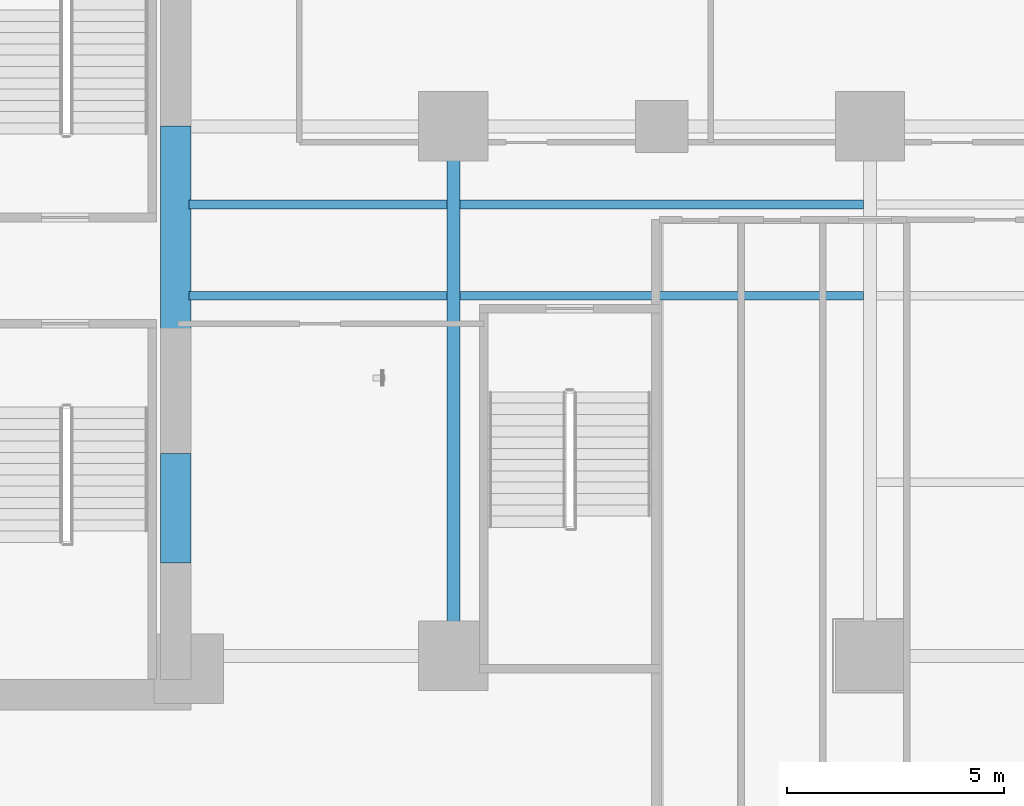
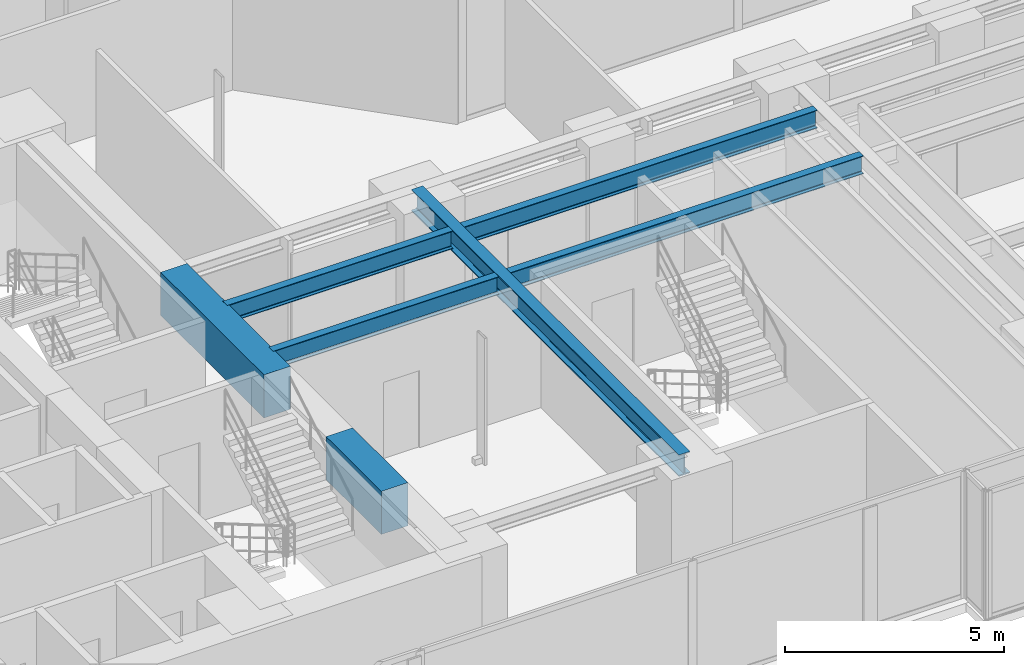
# One storey, part 5 of 29: 7 beams.
"""IFC4 building model written with IfcOpenShell, lengths in metres."""

import ifcopenshell
import ifcopenshell.guid

model = None  # the IFC model being written
_history = None  # IfcOwnerHistory: only IFC2X3 demands one
_inside = {}  # id of a spatial element -> (the spatial element, [elements in it])
_under = {}  # id of a project, library or spatial element -> (it, [spatial elements below it])
_declared = {}  # id of a project -> (the project, [libraries it declares])
_typed = {}  # id of a type object -> (the type object, [elements of that type])
_made_of = {}  # id of a material, layer set ... -> (it, [elements and type objects made of it])


def new_model(schema):
    """Start an empty IFC model of exactly this schema.

    Asked for "IFC4X3", IfcOpenShell would pick the latest addendum, in which some entities
    have other attributes; the version numbers below select the first issue.
    IFC2X3 requires an IfcOwnerHistory on every rooted entity: one is made here for all.
    """
    global model, _history
    if schema == "IFC4X3":
        model = ifcopenshell.file(schema_version=(4, 3, 0, 0))
    else:
        model = ifcopenshell.file(schema=schema)
    _inside.clear()
    _under.clear()
    _declared.clear()
    _typed.clear()
    _made_of.clear()
    _history = None
    if model.schema == "IFC2X3":
        org = make("IfcOrganization", Name="unknown")
        user = make(
            "IfcPersonAndOrganization",
            ThePerson=make("IfcPerson", FamilyName="unknown"),
            TheOrganization=org,
        )
        app = make(
            "IfcApplication",
            ApplicationDeveloper=org,
            Version="unknown",
            ApplicationFullName="unknown",
            ApplicationIdentifier="unknown",
        )
        _history = make(
            "IfcOwnerHistory",
            OwningUser=user,
            OwningApplication=app,
            ChangeAction="ADDED",
            CreationDate=0,
        )
    return model


def make(cls, **values):
    """One entity of the class cls with the attributes given. An attribute that is None is left unset."""
    return model.create_entity(
        cls, **{name: value for name, value in values.items() if value is not None}
    )


def rooted(cls, **values):
    """An entity with a GlobalId (a new one), such as an element, a storey or a relation."""
    return make(cls, GlobalId=ifcopenshell.guid.new(), OwnerHistory=_history, **values)


def si_unit(unit_type, name, prefix=None):
    """IfcSIUnit, for example si_unit("LENGTHUNIT", "METRE", prefix="MILLI")."""
    return make("IfcSIUnit", UnitType=unit_type, Prefix=prefix, Name=name)


def assignment(units):
    """IfcUnitAssignment: the units of a project."""
    return None if units is None else make("IfcUnitAssignment", Units=units)


def point(xyz):
    """IfcCartesianPoint."""
    return None if xyz is None else make("IfcCartesianPoint", Coordinates=xyz)


def direction(xyz):
    """IfcDirection."""
    return None if xyz is None else make("IfcDirection", DirectionRatios=xyz)


def frame(location, z_axis=None, x_axis=None):
    """IfcAxis2Placement3D, a coordinate frame: its origin and axes. An axis left out is left unset."""
    return make(
        "IfcAxis2Placement3D",
        Location=point(location),
        Axis=direction(z_axis),
        RefDirection=direction(x_axis),
    )


def frame_2d(location, x_axis=None):
    """IfcAxis2Placement2D, a coordinate frame in the plane: its origin and x axis."""
    return make(
        "IfcAxis2Placement2D", Location=point(location), RefDirection=direction(x_axis)
    )


def origin():
    """The frame at (0, 0, 0) with its axes left unset."""
    return frame((0.0, 0.0, 0.0))


def origin_2d():
    """The frame at (0, 0) in the plane with its x axis left unset."""
    return frame_2d((0.0, 0.0))


def place(relative_to, where):
    """IfcLocalPlacement: puts the frame where relative to a parent placement (None: the world)."""
    return make(
        "IfcLocalPlacement", PlacementRelTo=relative_to, RelativePlacement=where
    )


def context(
    kind, dimensions, precision=None, world=None, true_north=None, identifier=None
):
    """IfcGeometricRepresentationContext, for example the 3D "Model" context."""
    return make(
        "IfcGeometricRepresentationContext",
        ContextIdentifier=identifier,
        ContextType=kind,
        CoordinateSpaceDimension=dimensions,
        Precision=precision,
        WorldCoordinateSystem=world,
        TrueNorth=true_north,
    )


def subcontext(parent, identifier, kind, view, scale=None):
    """IfcGeometricRepresentationSubContext, for example "Body" below "Model"."""
    return make(
        "IfcGeometricRepresentationSubContext",
        ContextIdentifier=identifier,
        ContextType=kind,
        ParentContext=parent,
        TargetScale=scale,
        TargetView=view,
    )


def project(units=None, contexts=None):
    """IfcProject with its units and contexts."""
    return rooted(
        "IfcProject",
        Name="project",
        RepresentationContexts=contexts,
        UnitsInContext=assignment(units),
    )


def spatial(cls, under=None, at=None, **own):
    """A site, building, storey or space (cls), placed at a placement, below another one or the project."""
    s = rooted(cls, ObjectPlacement=at, **own)
    if under is not None:
        _under.setdefault(under.id(), (under, []))[1].append(s)
    return s


def profile(cls, at=None, kind="AREA", **sizes):
    """A parametric profile (cls). Its sizes go by their IFC names, for example OverallWidth=200.0."""
    return make(cls, ProfileType=kind, Position=at, **sizes)


def rectangle(**sizes):
    """IfcRectangleProfileDef."""
    return profile("IfcRectangleProfileDef", **sizes)


def i_section(**sizes):
    """IfcIShapeProfileDef."""
    return profile("IfcIShapeProfileDef", **sizes)


def extrude(swept, where, along, depth):
    """IfcExtrudedAreaSolid: the profile swept, set in the frame where, extruded along a direction by depth."""
    return make(
        "IfcExtrudedAreaSolid",
        SweptArea=swept,
        Position=where,
        ExtrudedDirection=direction(along),
        Depth=depth,
    )


def shape(context_of_items, identifier, shape_type, items):
    """IfcShapeRepresentation: the items that make up one representation, for example the "Body"."""
    return make(
        "IfcShapeRepresentation",
        ContextOfItems=context_of_items,
        RepresentationIdentifier=identifier,
        RepresentationType=shape_type,
        Items=items,
    )


def material(Name=None, Category=None):
    """IfcMaterial."""
    return make("IfcMaterial", Name=Name, Category=Category)


def material_profile(
    of_material, cross_section, Name=None, Category=None, Priority=None
):
    """IfcMaterialProfile: a cross section and its material."""
    return make(
        "IfcMaterialProfile",
        Name=Name,
        Material=of_material,
        Profile=cross_section,
        Priority=Priority,
        Category=Category,
    )


def profile_set(profiles, Name=None, composite=None):
    """IfcMaterialProfileSet."""
    return make(
        "IfcMaterialProfileSet",
        Name=Name,
        MaterialProfiles=profiles,
        CompositeProfile=composite,
    )


def made_of(thing, what):
    """Note that an element or type object is made of a material, layer set ...; save() writes the relation."""
    if what is not None:
        _made_of.setdefault(what.id(), (what, []))[1].append(thing)
    return thing


def type_object(cls, material=None, **own):
    """A type object (cls), such as IfcWallType, which elements share."""
    return made_of(rooted(cls, **own), material)


def element(
    cls,
    number,
    at=None,
    inside=None,
    cuts=None,
    type_object=None,
    material=None,
    context=None,
    identifier="Body",
    shape_type=None,
    held_by="IfcProductDefinitionShape",
    body=None,
    shapes=None,
    **own,
):
    """One element of the class cls, such as IfcWall. Its Tag is "e" and its number.

    at: its placement. inside: the storey or other place that contains it. cuts: it is an
    opening in that element (IfcRelVoidsElement). A single representation is given by context,
    identifier, shape_type and body (its items); several are given by shapes. held_by: the class
    of the entity that holds the representations. save() writes the other relations.
    """
    e = rooted(cls, Tag="e%d" % number, ObjectPlacement=at, **own)
    if body is not None:
        shapes = [shape(context, identifier, shape_type, body)]
    if shapes is not None:
        e.Representation = make(held_by, Representations=shapes)
    if inside is not None:
        _inside.setdefault(inside.id(), (inside, []))[1].append(e)
    if cuts is not None:
        rooted(
            "IfcRelVoidsElement", RelatingBuildingElement=cuts, RelatedOpeningElement=e
        )
    if type_object is not None:
        _typed.setdefault(type_object.id(), (type_object, []))[1].append(e)
    return made_of(e, material)


def aggregate(whole, parts):
    """IfcRelAggregates: a whole, such as a stair, and the parts it consists of."""
    return rooted("IfcRelAggregates", RelatingObject=whole, RelatedObjects=parts)


def save(model, path):
    """Write the relations noted so far, then the file.

    IfcRelAggregates (storeys below a building ...), IfcRelContainedInSpatialStructure (elements
    in a storey), IfcRelDefinesByType, IfcRelAssociatesMaterial and IfcRelDeclares: one each for
    every whole, place, type object, material and project.
    """
    for whole, parts in _under.values():
        aggregate(whole, parts)
    for where, things in _inside.values():
        rooted(
            "IfcRelContainedInSpatialStructure",
            RelatedElements=things,
            RelatingStructure=where,
        )
    for kind, things in _typed.values():
        rooted("IfcRelDefinesByType", RelatedObjects=things, RelatingType=kind)
    for what, things in _made_of.values():
        rooted("IfcRelAssociatesMaterial", RelatedObjects=things, RelatingMaterial=what)
    for by, libraries in _declared.values():
        rooted("IfcRelDeclares", RelatingContext=by, RelatedDefinitions=libraries)
    model.write(path)


model = new_model("IFC4")

# Units and contexts
model_context = context("Model", 3, precision=1e-05, world=origin(), true_north=direction((0.0, 1.0)))
body_context = subcontext(model_context, "Body", "Model", "MODEL_VIEW")
ifc_project = project(units=[si_unit("LENGTHUNIT", "METRE"), si_unit("AREAUNIT", "SQUARE_METRE"), si_unit("VOLUMEUNIT", "CUBIC_METRE"), si_unit("PLANEANGLEUNIT", "RADIAN"), si_unit("MASSUNIT", "GRAM", prefix="KILO")], contexts=[model_context])

# Site, building, storey
site_placement = place(None, origin())
site = spatial("IfcSite", under=ifc_project, at=site_placement, CompositionType="ELEMENT")
building_placement = place(site_placement, origin())
building = spatial("IfcBuilding", under=site, at=building_placement, Name="Kolvaren Waterfront Exchange", CompositionType="ELEMENT")
storey_placement = place(building_placement, frame((0.0, 0.0, 37.199951171875)))
storey = spatial("IfcBuildingStorey", under=building, at=storey_placement, Name="L09", CompositionType="ELEMENT", Elevation=37.199951171875)

# Beams
ifc_material_1 = material(Name="Steel S355", Category="steel")
ifc_material_profile_1 = material_profile(ifc_material_1, i_section(OverallWidth=0.300048828125, OverallDepth=0.60009765625, WebThickness=0.015380859375, FlangeThickness=0.030029296875, FilletRadius=0.027099609375, at=origin_2d()), Name="HEB600")
ifc_profile_set_1 = profile_set([ifc_material_profile_1], Name="Steel S355")
beam_type_1 = type_object("IfcBeamType", Name="STR-BM-HEB600", PredefinedType="BEAM", material=ifc_profile_set_1)
beam_1_placement = place(storey_placement, frame((27.199951171875, 5.199951171875, 3.239990234375), z_axis=(0.0, 1.0, 0.0), x_axis=(-1.0, 0.0, 0.0)))
element("IfcBeam", 1, at=beam_1_placement, inside=storey, type_object=beam_type_1, Name="L09 east-arm transverse girder X27", PredefinedType="BEAM", context=body_context, shape_type="SweptSolid", body=[
    extrude(i_section(OverallWidth=0.300048828125, OverallDepth=0.60009765625, WebThickness=0.015380859375, FlangeThickness=0.030029296875, FilletRadius=0.027099609375, at=origin_2d()), origin(), (0.0, 0.0, 1.0), 12.199951171875),
])
ifc_material_profile_2 = material_profile(ifc_material_1, i_section(OverallWidth=0.199951171875, OverallDepth=0.5, WebThickness=0.01025390625, FlangeThickness=0.01611328125, FilletRadius=0.02099609375, at=origin_2d()), Name="IPE500")
ifc_profile_set_2 = profile_set([ifc_material_profile_2], Name="Steel S355")
beam_type_2 = type_object("IfcBeamType", Name="STR-BM-IPE500", PredefinedType="JOIST", material=ifc_profile_set_2)
for number, where, z_axis, x_axis, name in (
    (2, (21.10009765625, 13.5, 3.2900390625), (1.0, 0.0, 0.0), (0.0, 1.0, 0.0), "L09 east-arm composite joist 1A"),
    (3, (21.10009765625, 15.60009765625, 3.2900390625), (1.0, 0.0, 0.0), (0.0, 1.0, 0.0), "L09 east-arm composite joist 1C"),
):
    element("IfcBeam", number, at=place(storey_placement, frame(where, z_axis=z_axis, x_axis=x_axis)), inside=storey, type_object=beam_type_2, Name=name, PredefinedType="JOIST", context=body_context, shape_type="SweptSolid", body=[
        extrude(i_section(OverallWidth=0.199951171875, OverallDepth=0.5, WebThickness=0.01025390625, FlangeThickness=0.01611328125, FilletRadius=0.02099609375, at=origin_2d()), origin(), (0.0, 0.0, 1.0), 5.947998046875),
    ])
for number, where, z_axis, x_axis, name in (
    (4, (27.35205078125, 13.5, 3.2900390625), (1.0, 0.0, 0.0), (0.0, 1.0, 0.0), "L09 east-arm composite joist 2A"),
    (5, (27.35205078125, 15.60009765625, 3.2900390625), (1.0, 0.0, 0.0), (0.0, 1.0, 0.0), "L09 east-arm composite joist 2C"),
):
    element("IfcBeam", number, at=place(storey_placement, frame(where, z_axis=z_axis, x_axis=x_axis)), inside=storey, type_object=beam_type_2, Name=name, PredefinedType="JOIST", context=body_context, shape_type="SweptSolid", body=[
        extrude(i_section(OverallWidth=0.199951171875, OverallDepth=0.5, WebThickness=0.01025390625, FlangeThickness=0.01611328125, FilletRadius=0.02099609375, at=origin_2d()), origin(), (0.0, 0.0, 1.0), 9.2958984375),
    ])
ifc_material_2 = material(Name="Concrete C70/85", Category="concrete")
ifc_material_profile_3 = material_profile(ifc_material_2, rectangle(XDim=0.699951171875, YDim=1.199951171875, at=origin_2d()), Name="RC-CB-1200x700")
ifc_profile_set_3 = profile_set([ifc_material_profile_3], Name="Concrete C70/85")
beam_type_3 = type_object("IfcBeamType", Name="STR-CB-1200", PredefinedType="SPANDREL", material=ifc_profile_set_3)
beam_2_placement = place(storey_placement, frame((20.800048828125, 7.340087890625, 2.93994140625), z_axis=(0.0, 1.0, 0.0), x_axis=(-1.0, 0.0, 0.0)))
element("IfcBeam", 6, at=beam_2_placement, inside=storey, type_object=beam_type_3, Name="L09 core coupling beam 1", PredefinedType="SPANDREL", context=body_context, shape_type="SweptSolid", body=[
    extrude(rectangle(XDim=0.699951171875, YDim=1.199951171875, at=origin_2d()), origin(), (0.0, 0.0, 1.0), 2.52001953125),
])
beam_3_placement = place(storey_placement, frame((20.800048828125, 12.68994140625, 2.93994140625), z_axis=(0.0, 1.0, 0.0), x_axis=(-1.0, 0.0, 0.0)))
element("IfcBeam", 7, at=beam_3_placement, inside=storey, type_object=beam_type_3, Name="L09 core coupling beam 2", PredefinedType="SPANDREL", context=body_context, shape_type="SweptSolid", body=[
    extrude(rectangle(XDim=0.699951171875, YDim=1.199951171875, at=origin_2d()), origin(), (0.0, 0.0, 1.0), 4.719970703125),
])

save(model, "model.ifc")
